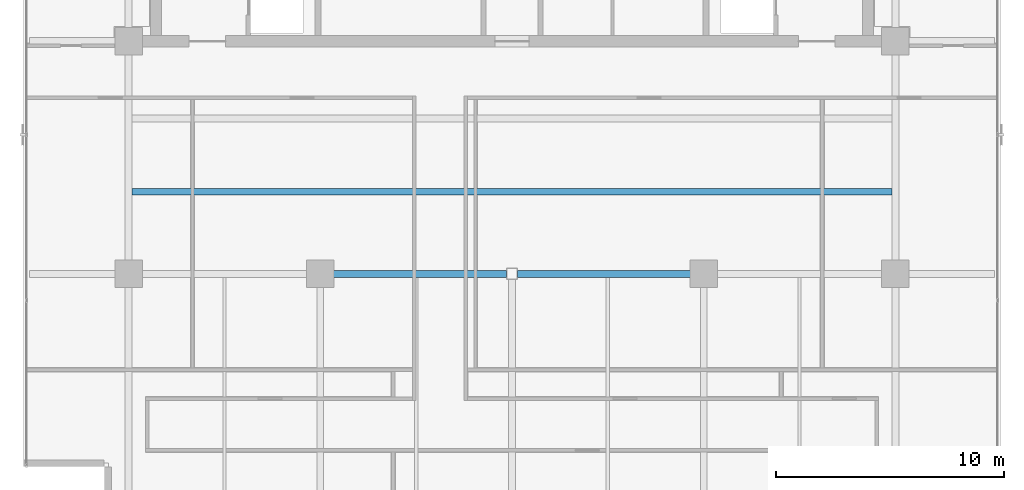
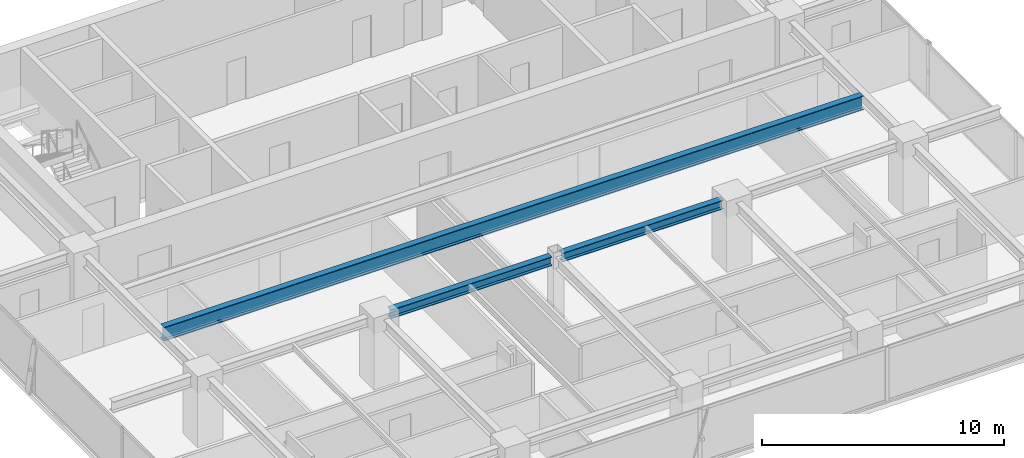
# One storey, part 5 of 20: 3 beams.
"""IFC4 building model written with IfcOpenShell, lengths in metres."""

from ifc_helpers import new_model, si_unit, direction, frame, origin, origin_2d, place, context, subcontext, project, spatial, i_section, extrude, source, transform, mapped, material, material_profile, profile_set, type_object, element, save


model = new_model("IFC4")

# Units and contexts
model_context = context("Model", 3, precision=1e-05, world=origin(), true_north=direction((0.0, 1.0)))
body_context = subcontext(model_context, "Body", "Model", "MODEL_VIEW")
ifc_project = project(units=[si_unit("LENGTHUNIT", "METRE"), si_unit("AREAUNIT", "SQUARE_METRE"), si_unit("VOLUMEUNIT", "CUBIC_METRE"), si_unit("PLANEANGLEUNIT", "RADIAN"), si_unit("MASSUNIT", "GRAM", prefix="KILO")], contexts=[model_context])

# Site, building, storey
site_placement = place(None, origin())
site = spatial("IfcSite", under=ifc_project, at=site_placement, CompositionType="ELEMENT")
building_placement = place(site_placement, origin())
building = spatial("IfcBuilding", under=site, at=building_placement, Name="Sumidabori Civic Tower", CompositionType="ELEMENT")
storey_placement = place(building_placement, frame((0.0, 0.0, 282.800048828125)))
storey = spatial("IfcBuildingStorey", under=building, at=storey_placement, Name="L74", CompositionType="ELEMENT", Elevation=282.800048828125)

# Beams
ifc_material = material(Name="Steel SN490", Category="steel")
ifc_material_profile_1 = material_profile(ifc_material, i_section(OverallWidth=0.300048828125, OverallDepth=0.699951171875, WebThickness=0.01708984375, FlangeThickness=0.031982421875, at=origin_2d()), Name="HE 700 B")
ifc_profile_set_1 = profile_set([ifc_material_profile_1], Name="Steel SN490")
beam_type_1 = type_object("IfcBeamType", Name="BM-GIRD-700", PredefinedType="BEAM", material=ifc_profile_set_1)
shared_shape_1 = source(origin(), body_context, "Body", "SweptSolid", [
    extrude(i_section(OverallWidth=0.300048828125, OverallDepth=0.699951171875, WebThickness=0.01708984375, FlangeThickness=0.031982421875, at=origin_2d()), origin(), (0.0, 0.0, 1.0), 33.2998046875),
])
beam_placement = place(storey_placement, frame((-16.64990234375, 3.60009765625, 3.02001953125), z_axis=(1.0, 0.0, 0.0), x_axis=(0.0, 1.0, 0.0)))
element("IfcBeam", 1, at=beam_placement, inside=storey, type_object=beam_type_1, Name="North Bay Floor Beam L74 JSTN-22", PredefinedType="BEAM", context=body_context, shape_type="MappedRepresentation", body=[
    mapped(shared_shape_1, transform((0.0, 0.0, 0.0), x_axis=(1.0, 0.0, 0.0), y_axis=(0.0, 1.0, 0.0), z_axis=(0.0, 0.0, 1.0), scale=1.0)),
])
ifc_material_profile_2 = material_profile(ifc_material, i_section(OverallWidth=0.300048828125, OverallDepth=0.449951171875, WebThickness=0.013916015625, FlangeThickness=0.02587890625, at=origin_2d()), Name="HE 450 B")
ifc_profile_set_2 = profile_set([ifc_material_profile_2], Name="Steel SN490")
beam_type_2 = type_object("IfcBeamType", Name="BM-GIRD-450", PredefinedType="BEAM", material=ifc_profile_set_2)
shared_shape_2 = source(origin(), body_context, "Body", "SweptSolid", [
    extrude(i_section(OverallWidth=0.300048828125, OverallDepth=0.449951171875, WebThickness=0.013916015625, FlangeThickness=0.02587890625, at=origin_2d()), origin(), (0.0, 0.0, 1.0), 7.669921875),
])
for number, where, z_axis, x_axis, name in (
    (2, (-7.919921875, 0.0, 3.14501953125), (1.0, 0.0, 0.0), (0.0, 1.0, 0.0), "Primary Girder L74 GX-06"),
    (3, (0.25, 0.0, 3.14501953125), (1.0, 0.0, 0.0), (0.0, 1.0, 0.0), "Primary Girder L74 GX-07"),
):
    element("IfcBeam", number, at=place(storey_placement, frame(where, z_axis=z_axis, x_axis=x_axis)), inside=storey, type_object=beam_type_2, Name=name, PredefinedType="BEAM", context=body_context, shape_type="MappedRepresentation", body=[
        mapped(shared_shape_2, transform((0.0, 0.0, 0.0), x_axis=(1.0, 0.0, 0.0), y_axis=(0.0, 1.0, 0.0), z_axis=(0.0, 0.0, 1.0), scale=1.0)),
    ])

save(model, "model.ifc")
